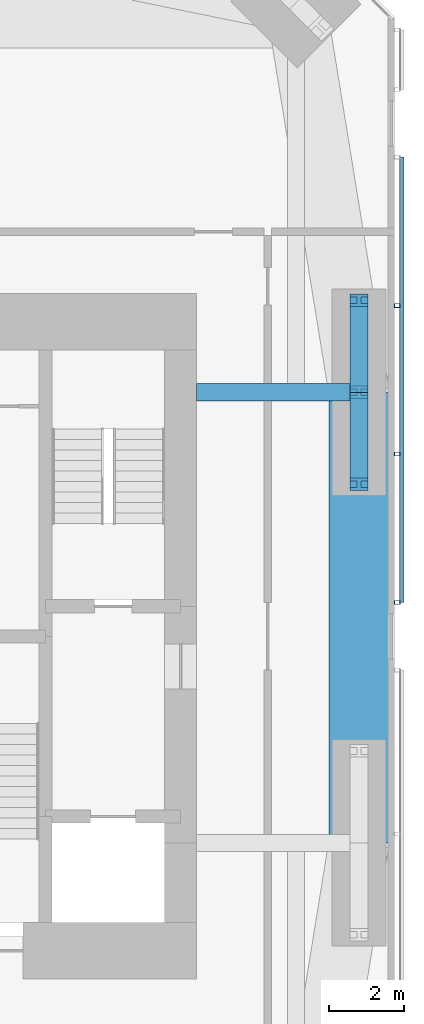
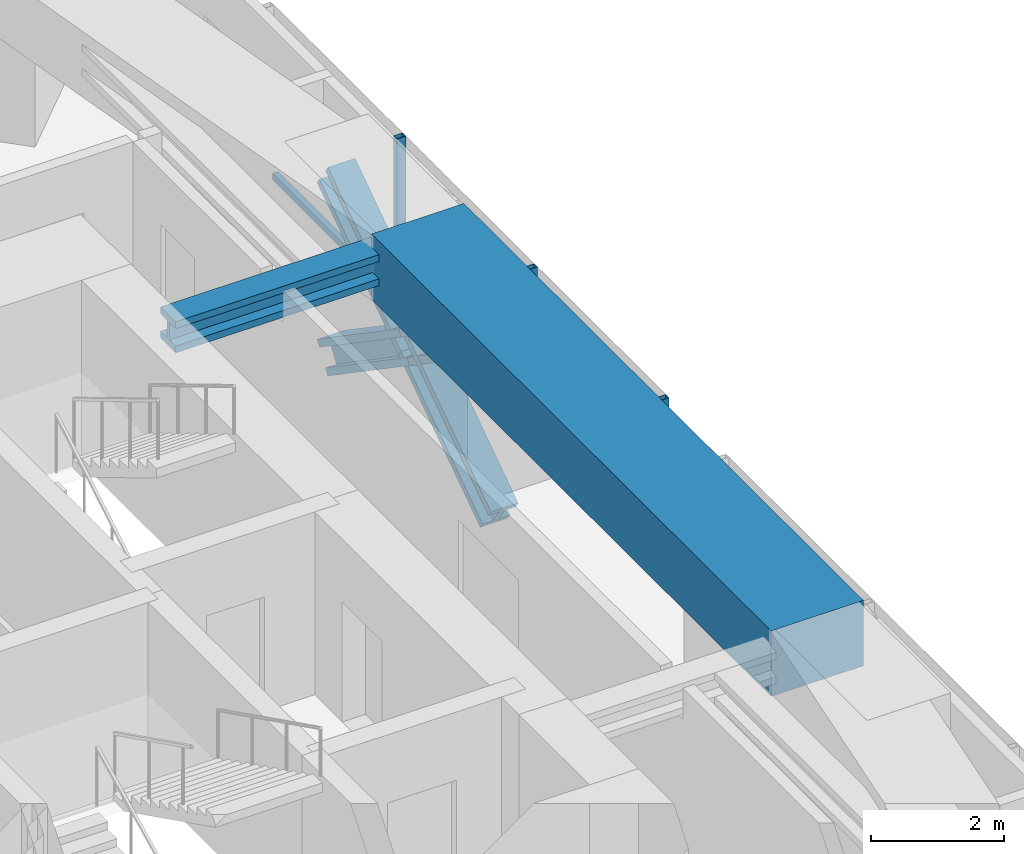
# One storey, part 10 of 24: 8 members, 2 beams, 1 element without a shape of its own.
"""IFC4 building model written with IfcOpenShell, lengths in metres."""

from ifc_helpers import new_model, si_unit, direction, frame, origin, origin_2d, place, context, subcontext, project, spatial, rectangle, hollow_rectangle, i_section, extrude, material, material_profile, profile_set, type_object, element, aggregate, save


model = new_model("IFC4")

# Units and contexts
model_context = context("Model", 3, precision=1e-05, world=origin(), true_north=direction((0.0, 1.0)))
body_context = subcontext(model_context, "Body", "Model", "MODEL_VIEW")
ifc_project = project(units=[si_unit("LENGTHUNIT", "METRE"), si_unit("AREAUNIT", "SQUARE_METRE"), si_unit("VOLUMEUNIT", "CUBIC_METRE"), si_unit("PLANEANGLEUNIT", "RADIAN"), si_unit("MASSUNIT", "GRAM", prefix="KILO")], contexts=[model_context])

# Site, building, storey
site_placement = place(None, origin())
site = spatial("IfcSite", under=ifc_project, at=site_placement, CompositionType="ELEMENT")
building_placement = place(site_placement, origin())
building = spatial("IfcBuilding", under=site, at=building_placement, Name="Jalousie Tower", CompositionType="ELEMENT")
storey_placement = place(building_placement, frame((0.0, 0.0, 135.0)))
storey = spatial("IfcBuildingStorey", under=building, at=storey_placement, Name="L37", CompositionType="ELEMENT", Elevation=135.0)

# Beam
ifc_material_1 = material(Name="Steel ASTM A992 Grade 50", Category="steel")
ifc_material_profile_1 = material_profile(ifc_material_1, i_section(OverallWidth=0.45458984375, OverallDepth=0.569091796875, WebThickness=0.077880859375, FlangeThickness=0.124755859375, at=origin_2d()), Name="W14X730")
ifc_profile_set_1 = profile_set([ifc_material_profile_1], Name="Steel ASTM A992 Grade 50")
beam_type_1 = type_object("IfcBeamType", Name="LEAN COLLECTOR W14X730", PredefinedType="BEAM", material=ifc_profile_set_1)
beam_1_placement = place(storey_placement, frame((48.550048828125, 25.0, 2.825439453125), z_axis=(-1.0, 0.0, 0.0), x_axis=(0.0, -1.0, 0.0)))
element("IfcBeam", 1, at=beam_1_placement, inside=storey, type_object=beam_type_1, Name="Lean collector under L38", PredefinedType="BEAM", context=body_context, shape_type="SweptSolid", body=[
    extrude(i_section(OverallWidth=0.45458984375, OverallDepth=0.569091796875, WebThickness=0.077880859375, FlangeThickness=0.124755859375, at=origin_2d()), origin(), (0.0, 0.0, 1.0), 4.324951171875),
])

# Members
ifc_material_2 = material(Name="Steel ASTM A992 Grade 50", Category="steel")
ifc_material_profile_2 = material_profile(ifc_material_2, i_section(OverallWidth=0.472412109375, OverallDepth=0.5791015625, WebThickness=0.094970703125, FlangeThickness=0.1298828125, at=origin_2d()), Name="W14X808")
ifc_profile_set_2 = profile_set([ifc_material_profile_2], Name="Steel ASTM A992 Grade 50")
member_type_1 = type_object("IfcMemberType", Name="PERIMETER BRACE W14X808", PredefinedType="BRACE", material=ifc_profile_set_2)
for number, where, z_axis, x_axis, name in (
    (2, (48.550048828125, 22.550048828125, -0.60009765625), (0.0, 0.825500916831, 0.564400776321), (-1.0, 0.0, 0.0), "Perimeter brace 07 L37 part 1"),
    (3, (48.550048828125, 25.0, 1.074951171875), (0.0, 0.825500916831, 0.564400776321), (-1.0, 0.0, 0.0), "Perimeter brace 07 L37 part 2"),
    (4, (48.550048828125, 27.449951171875, -0.60009765625), (0.0, -0.825500916831, 0.564400776321), (1.0, 0.0, 0.0), "Perimeter brace 07 L37 part 3"),
    (5, (48.550048828125, 25.0, 1.074951171875), (0.0, -0.825500916831, 0.564400776321), (1.0, 0.0, 0.0), "Perimeter brace 07 L37 part 4"),
):
    element("IfcMember", number, at=place(storey_placement, frame(where, z_axis=z_axis, x_axis=x_axis)), inside=storey, type_object=member_type_1, Name=name, PredefinedType="BRACE", context=body_context, shape_type="SweptSolid", body=[
        extrude(i_section(OverallWidth=0.472412109375, OverallDepth=0.5791015625, WebThickness=0.094970703125, FlangeThickness=0.1298828125, at=origin_2d()), origin(), (0.0, 0.0, 1.0), 2.9677734375),
    ])

# Beam
ifc_material_3 = material(Name="Concrete f'c 40 MPa", Category="concrete")
ifc_material_profile_3 = material_profile(ifc_material_3, rectangle(XDim=1.60009765625, YDim=1.199951171875, at=origin_2d()), Name="RC 1600x1200")
ifc_profile_set_3 = profile_set([ifc_material_profile_3], Name="Concrete f'c 40 MPa")
beam_type_2 = type_object("IfcBeamType", Name="RC BEAM 1600x1200", PredefinedType="BEAM", material=ifc_profile_set_3)
beam_2_placement = place(storey_placement, frame((48.550048828125, 13.0, 2.75), z_axis=(0.0, 1.0, 0.0), x_axis=(-1.0, 0.0, 0.0)))
element("IfcBeam", 6, at=beam_2_placement, inside=storey, type_object=beam_type_2, Name="Edge band beam 06-07 under L38", PredefinedType="BEAM", context=body_context, shape_type="SweptSolid", body=[
    extrude(rectangle(XDim=1.60009765625, YDim=1.199951171875, at=origin_2d()), origin(), (0.0, 0.0, 1.0), 12.0),
])

# Curtain wall, members
ifc_material_4 = material(Name="Perforated aluminium sheet", Category="aluminium")
curtain_wall_type = type_object("IfcCurtainWallType", Name="SOLAR SCREEN SS-1", PredefinedType="USERDEFINED", material=ifc_material_4)
curtain_wall_placement = place(storey_placement, origin())
curtain_wall = element("IfcCurtainWall", 7, at=curtain_wall_placement, inside=storey, type_object=curtain_wall_type, Name="Solar screen L37", ObjectType="SOLAR SCREEN SS-1", PredefinedType="USERDEFINED")
ifc_material_5 = material(Name="Steel ASTM A500 Grade C", Category="steel")
ifc_material_profile_4 = material_profile(ifc_material_5, hollow_rectangle(XDim=0.1015625, YDim=0.15234375, WallThickness=0.00634765625, at=origin_2d()), Name="HSS6X4X1/4")
ifc_profile_set_4 = profile_set([ifc_material_profile_4], Name="Steel ASTM A500 Grade C")
member_type_2 = type_object("IfcMemberType", Name="SOLAR SCREEN SS-1 MULLION", PredefinedType="MULLION", material=ifc_profile_set_4)
member_1_placement = place(storey_placement, frame((49.5712890625, 19.39990234375, -0.1201171875), z_axis=(0.0, 0.0, 1.0), x_axis=(0.0, 1.0, 0.0)))
member_1 = element("IfcMember", 8, at=member_1_placement, type_object=member_type_2, Name="SS1 post 1", PredefinedType="MULLION", context=body_context, shape_type="SweptSolid", body=[
    extrude(hollow_rectangle(XDim=0.1015625, YDim=0.15234375, WallThickness=0.00634765625, at=origin_2d()), origin(), (0.0, 0.0, 1.0), 3.230224609375),
])
member_2_placement = place(storey_placement, frame((49.5712890625, 23.35400390625, -0.1201171875), z_axis=(0.0, 0.0, 1.0), x_axis=(0.0, 1.0, 0.0)))
member_2 = element("IfcMember", 9, at=member_2_placement, type_object=member_type_2, Name="SS1 post 2", PredefinedType="MULLION", context=body_context, shape_type="SweptSolid", body=[
    extrude(hollow_rectangle(XDim=0.1015625, YDim=0.15234375, WallThickness=0.00634765625, at=origin_2d()), origin(), (0.0, 0.0, 1.0), 3.230224609375),
])
member_3_placement = place(storey_placement, frame((49.5712890625, 27.307861328125, -0.1201171875), z_axis=(0.0, 0.0, 1.0), x_axis=(0.0, 1.0, 0.0)))
member_3 = element("IfcMember", 10, at=member_3_placement, type_object=member_type_2, Name="SS1 post 3", PredefinedType="MULLION", context=body_context, shape_type="SweptSolid", body=[
    extrude(hollow_rectangle(XDim=0.1015625, YDim=0.15234375, WallThickness=0.00634765625, at=origin_2d()), origin(), (0.0, 0.0, 1.0), 3.230224609375),
])
ifc_material_6 = material(Name="Extruded aluminium screen rail", Category="aluminium")
ifc_material_profile_5 = material_profile(ifc_material_6, rectangle(XDim=0.1015625, YDim=0.1201171875, at=origin_2d()), Name="RAIL 102x120")
ifc_profile_set_5 = profile_set([ifc_material_profile_5], Name="Extruded aluminium screen rail")
member_type_3 = type_object("IfcMemberType", Name="SOLAR SCREEN SS-1 TRANSOM", PredefinedType="USERDEFINED", material=ifc_profile_set_5)
member_4_placement = place(storey_placement, frame((49.6982421875, 19.39990234375, -0.06005859375), z_axis=(0.0, 1.0, 0.0), x_axis=(-1.0, 0.0, 0.0)))
member_4 = element("IfcMember", 11, at=member_4_placement, type_object=member_type_3, Name="SS1 rail", ObjectType="TRANSOM", PredefinedType="USERDEFINED", context=body_context, shape_type="SweptSolid", body=[
    extrude(rectangle(XDim=0.1015625, YDim=0.1201171875, at=origin_2d()), origin(), (0.0, 0.0, 1.0), 11.862060546875),
])
aggregate(curtain_wall, [member_1, member_2, member_3, member_4])

save(model, "model.ifc")
